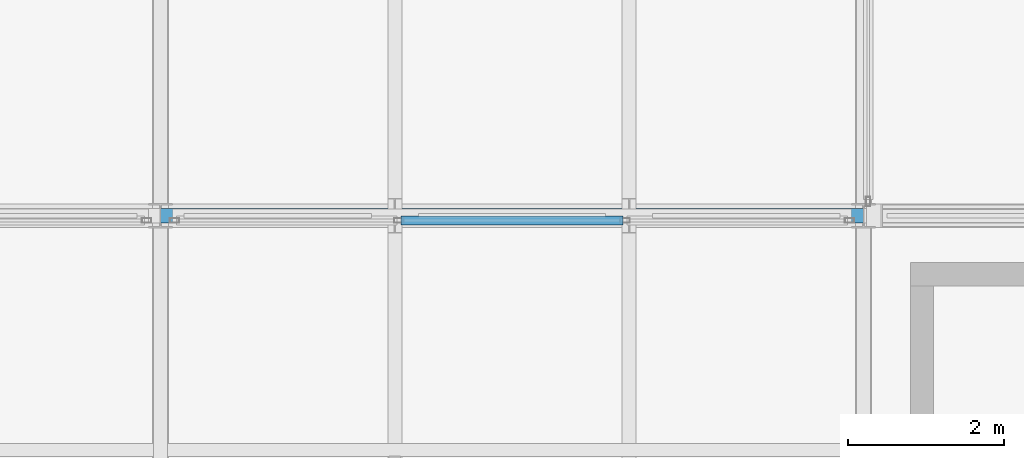
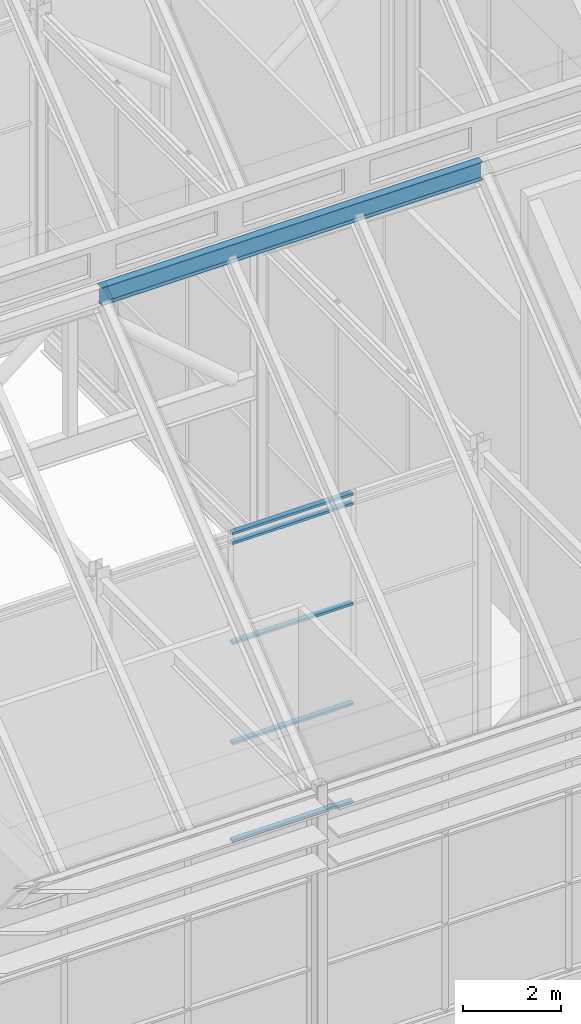
# One storey, part 62 of 144: 5 members, 1 beam, 1 element without a shape of its own.
"""IFC4 building model written with IfcOpenShell, lengths in metres."""

import ifcopenshell
import ifcopenshell.guid

model = None  # the IFC model being written
_history = None  # IfcOwnerHistory: only IFC2X3 demands one
_inside = {}  # id of a spatial element -> (the spatial element, [elements in it])
_under = {}  # id of a project, library or spatial element -> (it, [spatial elements below it])
_declared = {}  # id of a project -> (the project, [libraries it declares])
_typed = {}  # id of a type object -> (the type object, [elements of that type])
_made_of = {}  # id of a material, layer set ... -> (it, [elements and type objects made of it])


def new_model(schema):
    """Start an empty IFC model of exactly this schema.

    Asked for "IFC4X3", IfcOpenShell would pick the latest addendum, in which some entities
    have other attributes; the version numbers below select the first issue.
    IFC2X3 requires an IfcOwnerHistory on every rooted entity: one is made here for all.
    """
    global model, _history
    if schema == "IFC4X3":
        model = ifcopenshell.file(schema_version=(4, 3, 0, 0))
    else:
        model = ifcopenshell.file(schema=schema)
    _inside.clear()
    _under.clear()
    _declared.clear()
    _typed.clear()
    _made_of.clear()
    _history = None
    if model.schema == "IFC2X3":
        org = make("IfcOrganization", Name="unknown")
        user = make(
            "IfcPersonAndOrganization",
            ThePerson=make("IfcPerson", FamilyName="unknown"),
            TheOrganization=org,
        )
        app = make(
            "IfcApplication",
            ApplicationDeveloper=org,
            Version="unknown",
            ApplicationFullName="unknown",
            ApplicationIdentifier="unknown",
        )
        _history = make(
            "IfcOwnerHistory",
            OwningUser=user,
            OwningApplication=app,
            ChangeAction="ADDED",
            CreationDate=0,
        )
    return model


def make(cls, **values):
    """One entity of the class cls with the attributes given. An attribute that is None is left unset."""
    return model.create_entity(
        cls, **{name: value for name, value in values.items() if value is not None}
    )


def rooted(cls, **values):
    """An entity with a GlobalId (a new one), such as an element, a storey or a relation."""
    return make(cls, GlobalId=ifcopenshell.guid.new(), OwnerHistory=_history, **values)


def si_unit(unit_type, name, prefix=None):
    """IfcSIUnit, for example si_unit("LENGTHUNIT", "METRE", prefix="MILLI")."""
    return make("IfcSIUnit", UnitType=unit_type, Prefix=prefix, Name=name)


def assignment(units):
    """IfcUnitAssignment: the units of a project."""
    return None if units is None else make("IfcUnitAssignment", Units=units)


def point(xyz):
    """IfcCartesianPoint."""
    return None if xyz is None else make("IfcCartesianPoint", Coordinates=xyz)


def direction(xyz):
    """IfcDirection."""
    return None if xyz is None else make("IfcDirection", DirectionRatios=xyz)


def frame(location, z_axis=None, x_axis=None):
    """IfcAxis2Placement3D, a coordinate frame: its origin and axes. An axis left out is left unset."""
    return make(
        "IfcAxis2Placement3D",
        Location=point(location),
        Axis=direction(z_axis),
        RefDirection=direction(x_axis),
    )


def frame_2d(location, x_axis=None):
    """IfcAxis2Placement2D, a coordinate frame in the plane: its origin and x axis."""
    return make(
        "IfcAxis2Placement2D", Location=point(location), RefDirection=direction(x_axis)
    )


def origin():
    """The frame at (0, 0, 0) with its axes left unset."""
    return frame((0.0, 0.0, 0.0))


def origin_2d():
    """The frame at (0, 0) in the plane with its x axis left unset."""
    return frame_2d((0.0, 0.0))


def place(relative_to, where):
    """IfcLocalPlacement: puts the frame where relative to a parent placement (None: the world)."""
    return make(
        "IfcLocalPlacement", PlacementRelTo=relative_to, RelativePlacement=where
    )


def context(
    kind, dimensions, precision=None, world=None, true_north=None, identifier=None
):
    """IfcGeometricRepresentationContext, for example the 3D "Model" context."""
    return make(
        "IfcGeometricRepresentationContext",
        ContextIdentifier=identifier,
        ContextType=kind,
        CoordinateSpaceDimension=dimensions,
        Precision=precision,
        WorldCoordinateSystem=world,
        TrueNorth=true_north,
    )


def subcontext(parent, identifier, kind, view, scale=None):
    """IfcGeometricRepresentationSubContext, for example "Body" below "Model"."""
    return make(
        "IfcGeometricRepresentationSubContext",
        ContextIdentifier=identifier,
        ContextType=kind,
        ParentContext=parent,
        TargetScale=scale,
        TargetView=view,
    )


def project(units=None, contexts=None):
    """IfcProject with its units and contexts."""
    return rooted(
        "IfcProject",
        Name="project",
        RepresentationContexts=contexts,
        UnitsInContext=assignment(units),
    )


def spatial(cls, under=None, at=None, **own):
    """A site, building, storey or space (cls), placed at a placement, below another one or the project."""
    s = rooted(cls, ObjectPlacement=at, **own)
    if under is not None:
        _under.setdefault(under.id(), (under, []))[1].append(s)
    return s


def profile(cls, at=None, kind="AREA", **sizes):
    """A parametric profile (cls). Its sizes go by their IFC names, for example OverallWidth=200.0."""
    return make(cls, ProfileType=kind, Position=at, **sizes)


def hollow_rectangle(**sizes):
    """IfcRectangleHollowProfileDef."""
    return profile("IfcRectangleHollowProfileDef", **sizes)


def i_section(**sizes):
    """IfcIShapeProfileDef."""
    return profile("IfcIShapeProfileDef", **sizes)


def extrude(swept, where, along, depth):
    """IfcExtrudedAreaSolid: the profile swept, set in the frame where, extruded along a direction by depth."""
    return make(
        "IfcExtrudedAreaSolid",
        SweptArea=swept,
        Position=where,
        ExtrudedDirection=direction(along),
        Depth=depth,
    )


def shape(context_of_items, identifier, shape_type, items):
    """IfcShapeRepresentation: the items that make up one representation, for example the "Body"."""
    return make(
        "IfcShapeRepresentation",
        ContextOfItems=context_of_items,
        RepresentationIdentifier=identifier,
        RepresentationType=shape_type,
        Items=items,
    )


def material(Name=None, Category=None):
    """IfcMaterial."""
    return make("IfcMaterial", Name=Name, Category=Category)


def layer(
    of_material, thickness, ventilated=None, Name=None, Category=None, Priority=None
):
    """IfcMaterialLayer: one layer of a wall or slab, of a material (None: an air gap)."""
    return make(
        "IfcMaterialLayer",
        Material=of_material,
        LayerThickness=thickness,
        IsVentilated=ventilated,
        Name=Name,
        Category=Category,
        Priority=Priority,
    )


def layer_set(layers, Name=None):
    """IfcMaterialLayerSet."""
    return make("IfcMaterialLayerSet", MaterialLayers=layers, LayerSetName=Name)


def material_profile(
    of_material, cross_section, Name=None, Category=None, Priority=None
):
    """IfcMaterialProfile: a cross section and its material."""
    return make(
        "IfcMaterialProfile",
        Name=Name,
        Material=of_material,
        Profile=cross_section,
        Priority=Priority,
        Category=Category,
    )


def profile_set(profiles, Name=None, composite=None):
    """IfcMaterialProfileSet."""
    return make(
        "IfcMaterialProfileSet",
        Name=Name,
        MaterialProfiles=profiles,
        CompositeProfile=composite,
    )


def made_of(thing, what):
    """Note that an element or type object is made of a material, layer set ...; save() writes the relation."""
    if what is not None:
        _made_of.setdefault(what.id(), (what, []))[1].append(thing)
    return thing


def type_object(cls, material=None, **own):
    """A type object (cls), such as IfcWallType, which elements share."""
    return made_of(rooted(cls, **own), material)


def element(
    cls,
    number,
    at=None,
    inside=None,
    cuts=None,
    type_object=None,
    material=None,
    context=None,
    identifier="Body",
    shape_type=None,
    held_by="IfcProductDefinitionShape",
    body=None,
    shapes=None,
    **own,
):
    """One element of the class cls, such as IfcWall. Its Tag is "e" and its number.

    at: its placement. inside: the storey or other place that contains it. cuts: it is an
    opening in that element (IfcRelVoidsElement). A single representation is given by context,
    identifier, shape_type and body (its items); several are given by shapes. held_by: the class
    of the entity that holds the representations. save() writes the other relations.
    """
    e = rooted(cls, Tag="e%d" % number, ObjectPlacement=at, **own)
    if body is not None:
        shapes = [shape(context, identifier, shape_type, body)]
    if shapes is not None:
        e.Representation = make(held_by, Representations=shapes)
    if inside is not None:
        _inside.setdefault(inside.id(), (inside, []))[1].append(e)
    if cuts is not None:
        rooted(
            "IfcRelVoidsElement", RelatingBuildingElement=cuts, RelatedOpeningElement=e
        )
    if type_object is not None:
        _typed.setdefault(type_object.id(), (type_object, []))[1].append(e)
    return made_of(e, material)


def aggregate(whole, parts):
    """IfcRelAggregates: a whole, such as a stair, and the parts it consists of."""
    return rooted("IfcRelAggregates", RelatingObject=whole, RelatedObjects=parts)


def save(model, path):
    """Write the relations noted so far, then the file.

    IfcRelAggregates (storeys below a building ...), IfcRelContainedInSpatialStructure (elements
    in a storey), IfcRelDefinesByType, IfcRelAssociatesMaterial and IfcRelDeclares: one each for
    every whole, place, type object, material and project.
    """
    for whole, parts in _under.values():
        aggregate(whole, parts)
    for where, things in _inside.values():
        rooted(
            "IfcRelContainedInSpatialStructure",
            RelatedElements=things,
            RelatingStructure=where,
        )
    for kind, things in _typed.values():
        rooted("IfcRelDefinesByType", RelatedObjects=things, RelatingType=kind)
    for what, things in _made_of.values():
        rooted("IfcRelAssociatesMaterial", RelatedObjects=things, RelatingMaterial=what)
    for by, libraries in _declared.values():
        rooted("IfcRelDeclares", RelatingContext=by, RelatedDefinitions=libraries)
    model.write(path)


model = new_model("IFC4")

# Units and contexts
model_context = context("Model", 3, precision=1e-05, world=origin(), true_north=direction((0.0, 1.0)))
body_context = subcontext(model_context, "Body", "Model", "MODEL_VIEW")
ifc_project = project(units=[si_unit("LENGTHUNIT", "METRE"), si_unit("AREAUNIT", "SQUARE_METRE"), si_unit("VOLUMEUNIT", "CUBIC_METRE"), si_unit("PLANEANGLEUNIT", "RADIAN"), si_unit("MASSUNIT", "GRAM", prefix="KILO")], contexts=[model_context])

# Site, building, storey
site_placement = place(None, origin())
site = spatial("IfcSite", under=ifc_project, at=site_placement, CompositionType="ELEMENT")
building_placement = place(site_placement, origin())
building = spatial("IfcBuilding", under=site, at=building_placement, Name="Shorebreak Coast Museum", CompositionType="ELEMENT")
storey_placement = place(building_placement, frame((0.0, 0.0, 36.0)))
storey = spatial("IfcBuildingStorey", under=building, at=storey_placement, Name="L06", CompositionType="ELEMENT", Elevation=36.0)

# Beam
ifc_material_1 = material(Name="Steel Grade 300", Category="steel")
ifc_material_profile_1 = material_profile(ifc_material_1, i_section(OverallWidth=0.18994140625, OverallDepth=0.453857421875, WebThickness=0.008544921875, FlangeThickness=0.0126953125, FilletRadius=0.011474609375, at=origin_2d()), Name="460UB67.1")
ifc_profile_set_1 = profile_set([ifc_material_profile_1], Name="Steel Grade 300")
beam_type = type_object("IfcBeamType", Name="Fold ridge beam 460UB67.1", PredefinedType="BEAM", material=ifc_profile_set_1)
beam_placement = place(storey_placement, frame((99.0, 63.0, 14.717041015625), z_axis=(1.0, 0.0, 0.0), x_axis=(0.0, 1.0, 0.0)))
element("IfcBeam", 1, at=beam_placement, inside=storey, type_object=beam_type, Name="Fold ridge beam FOLD-X line H bay 12H", PredefinedType="BEAM", context=body_context, shape_type="SweptSolid", body=[
    extrude(i_section(OverallWidth=0.18994140625, OverallDepth=0.453857421875, WebThickness=0.008544921875, FlangeThickness=0.0126953125, FilletRadius=0.011474609375, at=origin_2d()), origin(), (0.0, 0.0, 1.0), 9.0),
])

# Curtain wall, members
ifc_material_2 = material(Name="Aluminium", Category="aluminium")
ifc_layer = layer(ifc_material_2, 0.1201171875)
ifc_layer_set = layer_set([ifc_layer], Name="Aluminium")
curtain_wall_type = type_object("IfcCurtainWallType", Name="Atrium fire screen", PredefinedType="NOTDEFINED", material=ifc_layer_set)
curtain_wall_placement = place(storey_placement, origin())
curtain_wall = element("IfcCurtainWall", 2, at=curtain_wall_placement, inside=storey, type_object=curtain_wall_type, Name="Atrium screen L06 S 83", PredefinedType="NOTDEFINED")
ifc_material_3 = material(Name="Aluminium", Category="aluminium")
ifc_material_profile_2 = material_profile(ifc_material_3, hollow_rectangle(XDim=0.1201171875, YDim=0.06005859375, WallThickness=0.00341796875, at=origin_2d()), Name="AL 60x120 RHS")
ifc_profile_set_2 = profile_set([ifc_material_profile_2], Name="Aluminium")
member_type = type_object("IfcMemberType", Name="Screen transom 120 x 50", PredefinedType="USERDEFINED", material=ifc_profile_set_2)
member_1_placement = place(storey_placement, frame((102.076171875, 62.93994140625, 0.06005859375), z_axis=(1.0, 0.0, 0.0), x_axis=(0.0, 1.0, 0.0)))
member_1 = element("IfcMember", 3, at=member_1_placement, type_object=member_type, Name="CW6 transom 2.1", ObjectType="TRANSOM", PredefinedType="USERDEFINED", context=body_context, shape_type="SweptSolid", body=[
    extrude(hollow_rectangle(XDim=0.1201171875, YDim=0.06005859375, WallThickness=0.00341796875, at=origin_2d()), origin(), (0.0, 0.0, 1.0), 2.84765625),
])
member_2_placement = place(storey_placement, frame((102.076171875, 62.93994140625, 2.5), z_axis=(1.0, 0.0, 0.0), x_axis=(0.0, 1.0, 0.0)))
member_2 = element("IfcMember", 4, at=member_2_placement, type_object=member_type, Name="CW6 transom 2.2", ObjectType="TRANSOM", PredefinedType="USERDEFINED", context=body_context, shape_type="SweptSolid", body=[
    extrude(hollow_rectangle(XDim=0.1201171875, YDim=0.06005859375, WallThickness=0.00341796875, at=origin_2d()), origin(), (0.0, 0.0, 1.0), 2.84765625),
])
member_3_placement = place(storey_placement, frame((102.076171875, 62.93994140625, 5.0), z_axis=(1.0, 0.0, 0.0), x_axis=(0.0, 1.0, 0.0)))
member_3 = element("IfcMember", 5, at=member_3_placement, type_object=member_type, Name="CW6 transom 2.3", ObjectType="TRANSOM", PredefinedType="USERDEFINED", context=body_context, shape_type="SweptSolid", body=[
    extrude(hollow_rectangle(XDim=0.1201171875, YDim=0.06005859375, WallThickness=0.00341796875, at=origin_2d()), origin(), (0.0, 0.0, 1.0), 2.84765625),
])
member_4_placement = place(storey_placement, frame((102.076171875, 62.93994140625, 7.5), z_axis=(1.0, 0.0, 0.0), x_axis=(0.0, 1.0, 0.0)))
member_4 = element("IfcMember", 6, at=member_4_placement, type_object=member_type, Name="CW6 transom 2.4", ObjectType="TRANSOM", PredefinedType="USERDEFINED", context=body_context, shape_type="SweptSolid", body=[
    extrude(hollow_rectangle(XDim=0.1201171875, YDim=0.06005859375, WallThickness=0.00341796875, at=origin_2d()), origin(), (0.0, 0.0, 1.0), 2.84765625),
])
member_5_placement = place(storey_placement, frame((102.076171875, 62.93994140625, 7.739990234375), z_axis=(1.0, 0.0, 0.0), x_axis=(0.0, 1.0, 0.0)))
member_5 = element("IfcMember", 7, at=member_5_placement, type_object=member_type, Name="CW6 transom 2.5", ObjectType="TRANSOM", PredefinedType="USERDEFINED", context=body_context, shape_type="SweptSolid", body=[
    extrude(hollow_rectangle(XDim=0.1201171875, YDim=0.06005859375, WallThickness=0.00341796875, at=origin_2d()), origin(), (0.0, 0.0, 1.0), 2.84765625),
])
aggregate(curtain_wall, [member_1, member_2, member_3, member_4, member_5])

save(model, "model.ifc")
